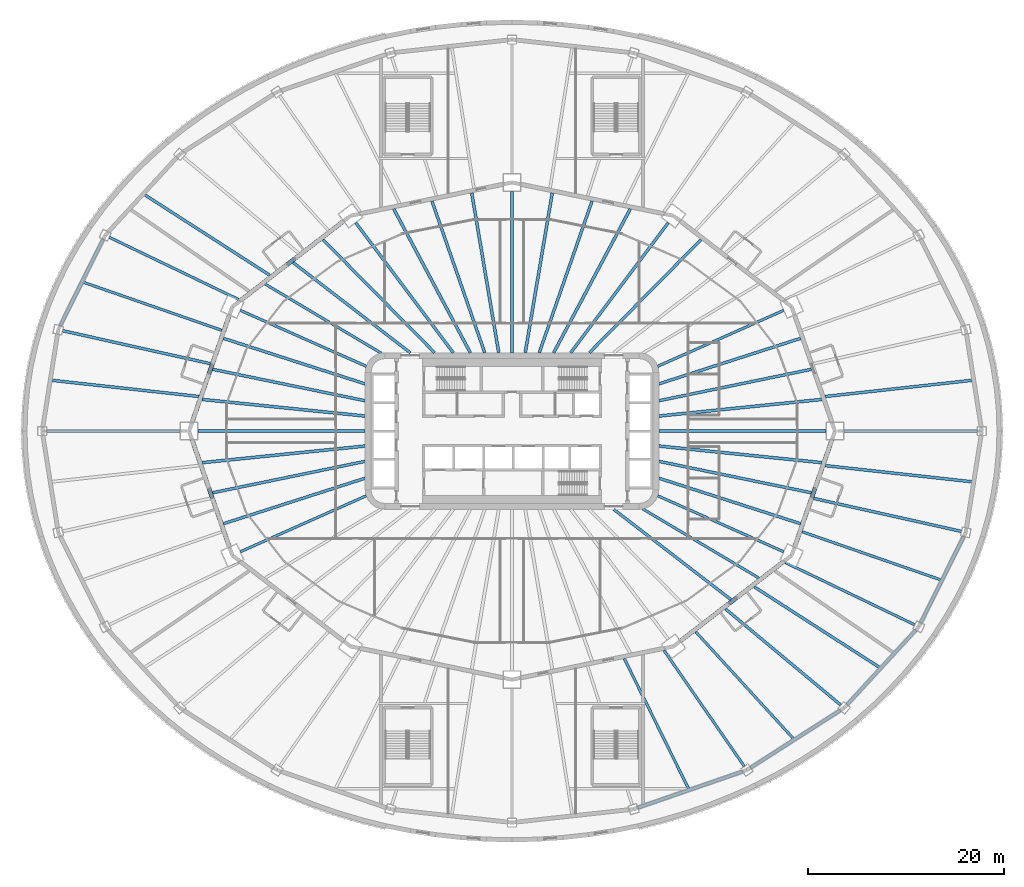
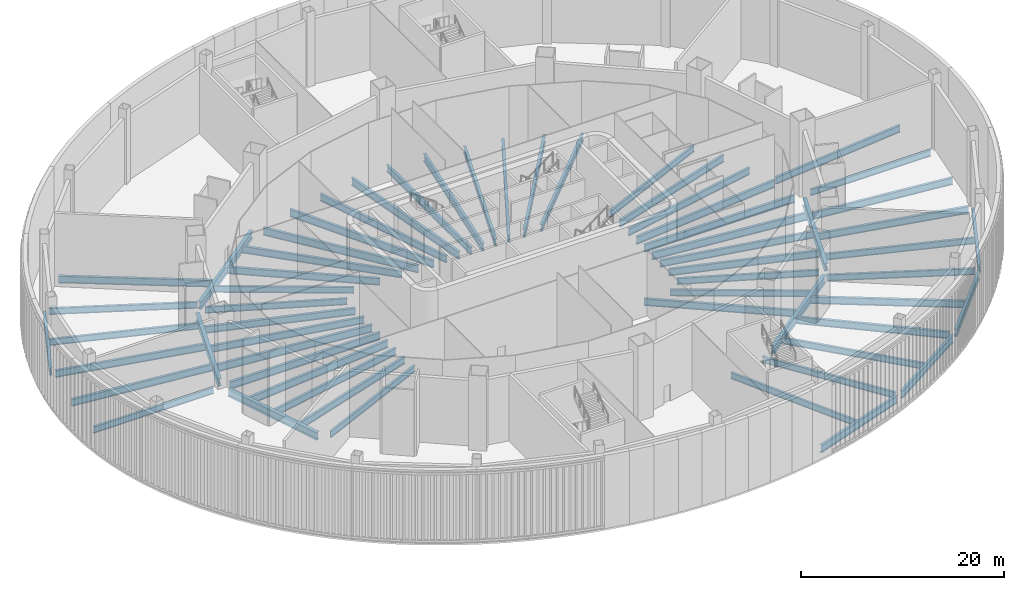
# One storey, part 2 of 35: 60 beams.
"""IFC4 building model written with IfcOpenShell, lengths in metres."""

from ifc_helpers import new_model, si_unit, direction, frame, origin, origin_2d, place, context, subcontext, project, spatial, i_section, extrude, material, material_profile, profile_set, type_object, element, save


model = new_model("IFC4")

# Units and contexts
model_context = context("Model", 3, precision=1e-05, world=origin(), true_north=direction((0.0, 1.0)))
body_context = subcontext(model_context, "Body", "Model", "MODEL_VIEW")
ifc_project = project(units=[si_unit("LENGTHUNIT", "METRE"), si_unit("AREAUNIT", "SQUARE_METRE"), si_unit("VOLUMEUNIT", "CUBIC_METRE"), si_unit("PLANEANGLEUNIT", "RADIAN"), si_unit("MASSUNIT", "GRAM", prefix="KILO")], contexts=[model_context])

# Site, building, storey
site_placement = place(None, origin())
site = spatial("IfcSite", under=ifc_project, at=site_placement, CompositionType="ELEMENT")
building_placement = place(site_placement, origin())
building = spatial("IfcBuilding", under=site, at=building_placement, Name="Sahrelin Media Tower", CompositionType="ELEMENT")
storey_placement = place(building_placement, frame((0.0, 0.0, 8.0)))
storey = spatial("IfcBuildingStorey", under=building, at=storey_placement, Name="L01", CompositionType="ELEMENT", Elevation=8.0)

# Beams
ifc_material = material(Name="Steel S355", Category="steel")
ifc_material_profile_1 = material_profile(ifc_material, i_section(OverallWidth=0.30322265625, OverallDepth=0.903076171875, WebThickness=0.01513671875, FlangeThickness=0.020263671875, FilletRadius=0.01904296875, at=origin_2d()), Name="UB 914x305x201")
ifc_profile_set_1 = profile_set([ifc_material_profile_1], Name="Steel S355")
beam_type_1 = type_object("IfcBeamType", Name="Podium edge girder PE11", PredefinedType="BEAM", material=ifc_profile_set_1)
beam_1_placement = place(storey_placement, frame((-41.76953125, 19.596923828125, -0.651611328125), z_axis=(-0.445112588569, -0.895474613541, 0.0), x_axis=(0.895474613541, -0.445112588569, 0.0)))
element("IfcBeam", 1, at=beam_1_placement, inside=storey, type_object=beam_type_1, Name="Podium edge girder L01-11", PredefinedType="BEAM", context=body_context, shape_type="SweptSolid", body=[
    extrude(i_section(OverallWidth=0.30322265625, OverallDepth=0.903076171875, WebThickness=0.01513671875, FlangeThickness=0.020263671875, FilletRadius=0.01904296875, at=origin_2d()), origin(), (0.0, 0.0, 1.0), 9.859619140625),
])
beam_2_placement = place(storey_placement, frame((12.848876953125, -38.489990234375, -0.651611328125), z_axis=(0.94527240249, 0.32628221694, 0.0), x_axis=(-0.32628221694, 0.94527240249, 0.0)))
element("IfcBeam", 2, at=beam_2_placement, inside=storey, type_object=beam_type_1, Name="Podium edge girder L01-20", PredefinedType="BEAM", context=body_context, shape_type="SweptSolid", body=[
    extrude(i_section(OverallWidth=0.30322265625, OverallDepth=0.903076171875, WebThickness=0.01513671875, FlangeThickness=0.020263671875, FilletRadius=0.01904296875, at=origin_2d()), origin(), (0.0, 0.0, 1.0), 11.329345703125),
])
beam_3_placement = place(storey_placement, frame((24.37939453125, -34.3984375, -0.651611328125), z_axis=(0.842485743715, 0.538718638657, 0.0), x_axis=(-0.538718638657, 0.842485743715, 0.0)))
element("IfcBeam", 3, at=beam_3_placement, inside=storey, type_object=beam_type_1, Name="Podium edge girder L01-21", PredefinedType="BEAM", context=body_context, shape_type="SweptSolid", body=[
    extrude(i_section(OverallWidth=0.30322265625, OverallDepth=0.903076171875, WebThickness=0.01513671875, FlangeThickness=0.020263671875, FilletRadius=0.01904296875, at=origin_2d()), origin(), (0.0, 0.0, 1.0), 10.87744140625),
])
beam_4_placement = place(storey_placement, frame((34.246337890625, -27.952880859375, -0.651611328125), z_axis=(0.677370529771, 0.735642008995, 0.0), x_axis=(-0.735642008995, 0.677370529771, 0.0)))
element("IfcBeam", 4, at=beam_4_placement, inside=storey, type_object=beam_type_1, Name="Podium edge girder L01-22", PredefinedType="BEAM", context=body_context, shape_type="SweptSolid", body=[
    extrude(i_section(OverallWidth=0.30322265625, OverallDepth=0.903076171875, WebThickness=0.01513671875, FlangeThickness=0.020263671875, FilletRadius=0.01904296875, at=origin_2d()), origin(), (0.0, 0.0, 1.0), 10.340087890625),
])
beam_5_placement = place(storey_placement, frame((41.76953125, -19.596923828125, -0.651611328125), z_axis=(0.445112588569, 0.895474613541, 0.0), x_axis=(-0.895474613541, 0.445112588569, 0.0)))
element("IfcBeam", 5, at=beam_5_placement, inside=storey, type_object=beam_type_1, Name="Podium edge girder L01-23", PredefinedType="BEAM", context=body_context, shape_type="SweptSolid", body=[
    extrude(i_section(OverallWidth=0.30322265625, OverallDepth=0.903076171875, WebThickness=0.01513671875, FlangeThickness=0.020263671875, FilletRadius=0.01904296875, at=origin_2d()), origin(), (0.0, 0.0, 1.0), 9.859619140625),
])
ifc_material_profile_2 = material_profile(ifc_material, i_section(OverallWidth=0.41845703125, OverallDepth=0.911865234375, WebThickness=0.019287109375, FlangeThickness=0.031982421875, FilletRadius=0.024169921875, at=origin_2d()), Name="UB 914x419x343")
ifc_profile_set_2 = profile_set([ifc_material_profile_2], Name="Steel S355")
beam_type_2 = type_object("IfcBeamType", Name="Podium ring girder PG12", PredefinedType="BEAM", material=ifc_profile_set_2)
beam_6_placement = place(storey_placement, frame((-17.21337890625, 21.447998046875, -0.656005859375), z_axis=(-0.792445416108, -0.609942835428, 0.0), x_axis=(0.609942835428, -0.792445416108, 0.0)))
element("IfcBeam", 6, at=beam_6_placement, inside=storey, type_object=beam_type_2, Name="Podium girder L01-05", PredefinedType="BEAM", context=body_context, shape_type="SweptSolid", body=[
    extrude(i_section(OverallWidth=0.41845703125, OverallDepth=0.911865234375, WebThickness=0.019287109375, FlangeThickness=0.031982421875, FilletRadius=0.024169921875, at=origin_2d()), origin(), (0.0, 0.0, 1.0), 13.318603515625),
])
for number, where, z_axis, x_axis, name in (
    (7, (-28.875732421875, 11.84716796875, -0.656005859375), (-0.328773851324, -0.944408679908, 0.0), (0.944408679908, -0.328773851324, 0.0), "Podium girder L01-06"),
    (8, (-32.686767578125, -0.89990234375, -0.656005859375), (0.328773851324, -0.944408679908, 0.0), (0.944408679908, 0.328773851324, 0.0), "Podium girder L01-07"),
):
    element("IfcBeam", number, at=place(storey_placement, frame(where, z_axis=z_axis, x_axis=x_axis)), inside=storey, type_object=beam_type_2, Name=name, PredefinedType="BEAM", context=body_context, shape_type="SweptSolid", body=[
        extrude(i_section(OverallWidth=0.41845703125, OverallDepth=0.911865234375, WebThickness=0.019287109375, FlangeThickness=0.031982421875, FilletRadius=0.024169921875, at=origin_2d()), origin(), (0.0, 0.0, 1.0), 11.591552734375),
    ])
beam_7_placement = place(storey_placement, frame((17.21337890625, -21.447998046875, -0.656005859375), z_axis=(0.792445416108, 0.609942835428, 0.0), x_axis=(-0.609942835428, 0.792445416108, 0.0)))
element("IfcBeam", 9, at=beam_7_placement, inside=storey, type_object=beam_type_2, Name="Podium girder L01-11", PredefinedType="BEAM", context=body_context, shape_type="SweptSolid", body=[
    extrude(i_section(OverallWidth=0.41845703125, OverallDepth=0.911865234375, WebThickness=0.019287109375, FlangeThickness=0.031982421875, FilletRadius=0.024169921875, at=origin_2d()), origin(), (0.0, 0.0, 1.0), 13.318603515625),
])
beam_8_placement = place(storey_placement, frame((28.875732421875, -11.84716796875, -0.656005859375), z_axis=(0.328773851324, 0.944408679908, 0.0), x_axis=(-0.944408679908, 0.328773851324, 0.0)))
element("IfcBeam", 10, at=beam_8_placement, inside=storey, type_object=beam_type_2, Name="Podium girder L01-12", PredefinedType="BEAM", context=body_context, shape_type="SweptSolid", body=[
    extrude(i_section(OverallWidth=0.41845703125, OverallDepth=0.911865234375, WebThickness=0.019287109375, FlangeThickness=0.031982421875, FilletRadius=0.024169921875, at=origin_2d()), origin(), (0.0, 0.0, 1.0), 11.591552734375),
])
ifc_material_profile_3 = material_profile(ifc_material, i_section(OverallWidth=0.291748046875, OverallDepth=0.8349609375, WebThickness=0.013916015625, FlangeThickness=0.018798828125, FilletRadius=0.017822265625, at=origin_2d()), Name="UB 838x292x176")
ifc_profile_set_3 = profile_set([ifc_material_profile_3], Name="Steel S355")
beam_type_3 = type_object("IfcBeamType", Name="Radial primary beam PB10", PredefinedType="BEAM", material=ifc_profile_set_3)
beam_9_placement = place(storey_placement, frame((15.0, 3.093505859375, -0.617431640625), z_axis=(0.979386832716, 0.201993643221, 0.0), x_axis=(-0.201993643221, 0.979386832716, 0.0)))
element("IfcBeam", 11, at=beam_9_placement, inside=storey, type_object=beam_type_3, Name="Radial beam L01-02", PredefinedType="BEAM", context=body_context, shape_type="SweptSolid", body=[
    extrude(i_section(OverallWidth=0.291748046875, OverallDepth=0.8349609375, WebThickness=0.013916015625, FlangeThickness=0.018798828125, FilletRadius=0.017822265625, at=origin_2d()), origin(), (0.0, 0.0, 1.0), 15.91064453125),
])
beam_10_placement = place(storey_placement, frame((2.784912109375, 8.0, -0.617431640625), z_axis=(0.328776215552, 0.944407856854, 0.0), x_axis=(-0.944407856854, 0.328776215552, 0.0)))
element("IfcBeam", 12, at=beam_10_placement, inside=storey, type_object=beam_type_3, Name="Radial beam L01-06", PredefinedType="BEAM", context=body_context, shape_type="SweptSolid", body=[
    extrude(i_section(OverallWidth=0.291748046875, OverallDepth=0.8349609375, WebThickness=0.013916015625, FlangeThickness=0.018798828125, FilletRadius=0.017822265625, at=origin_2d()), origin(), (0.0, 0.0, 1.0), 16.41162109375),
])
beam_11_placement = place(storey_placement, frame((0.0, 8.0, -0.617431640625), z_axis=(0.0, 1.0, 0.0), x_axis=(-1.0, 0.0, 0.0)))
element("IfcBeam", 13, at=beam_11_placement, inside=storey, type_object=beam_type_3, Name="Radial beam L01-07", PredefinedType="BEAM", context=body_context, shape_type="SweptSolid", body=[
    extrude(i_section(OverallWidth=0.291748046875, OverallDepth=0.8349609375, WebThickness=0.013916015625, FlangeThickness=0.018798828125, FilletRadius=0.017822265625, at=origin_2d()), origin(), (0.0, 0.0, 1.0), 16.5),
])
beam_12_placement = place(storey_placement, frame((-2.784912109375, 8.0, -0.617431640625), z_axis=(-0.328776215552, 0.944407856854, 0.0), x_axis=(-0.944407856854, -0.328776215552, 0.0)))
element("IfcBeam", 14, at=beam_12_placement, inside=storey, type_object=beam_type_3, Name="Radial beam L01-08", PredefinedType="BEAM", context=body_context, shape_type="SweptSolid", body=[
    extrude(i_section(OverallWidth=0.291748046875, OverallDepth=0.8349609375, WebThickness=0.013916015625, FlangeThickness=0.018798828125, FilletRadius=0.017822265625, at=origin_2d()), origin(), (0.0, 0.0, 1.0), 16.41162109375),
])
beam_13_placement = place(storey_placement, frame((-10.393798828125, 8.0, -0.617431640625), z_axis=(-0.79244196099, 0.609947324335, 0.0), x_axis=(-0.609947324335, -0.79244196099, 0.0)))
element("IfcBeam", 15, at=beam_13_placement, inside=storey, type_object=beam_type_3, Name="Radial beam L01-10", PredefinedType="BEAM", context=body_context, shape_type="SweptSolid", body=[
    extrude(i_section(OverallWidth=0.291748046875, OverallDepth=0.8349609375, WebThickness=0.013916015625, FlangeThickness=0.018798828125, FilletRadius=0.017822265625, at=origin_2d()), origin(), (0.0, 0.0, 1.0), 15.1103515625),
])
for number, where, z_axis, x_axis, name in (
    (16, (-15.0, 3.093505859375, -0.617431640625), (-0.979386832716, 0.201993643221, 0.0), (-0.201993643221, -0.979386832716, 0.0), "Radial beam L01-12"),
    (17, (-15.0, -3.093505859375, -0.617431640625), (-0.979386832716, -0.201993643221, 0.0), (0.201993643221, -0.979386832716, 0.0), "Radial beam L01-14"),
):
    element("IfcBeam", number, at=place(storey_placement, frame(where, z_axis=z_axis, x_axis=x_axis)), inside=storey, type_object=beam_type_3, Name=name, PredefinedType="BEAM", context=body_context, shape_type="SweptSolid", body=[
        extrude(i_section(OverallWidth=0.291748046875, OverallDepth=0.8349609375, WebThickness=0.013916015625, FlangeThickness=0.018798828125, FilletRadius=0.017822265625, at=origin_2d()), origin(), (0.0, 0.0, 1.0), 15.91064453125),
    ])
beam_14_placement = place(storey_placement, frame((10.393798828125, -8.0, -0.617431640625), z_axis=(0.79244196099, -0.609947324335, 0.0), x_axis=(0.609947324335, 0.79244196099, 0.0)))
element("IfcBeam", 18, at=beam_14_placement, inside=storey, type_object=beam_type_3, Name="Radial beam L01-22", PredefinedType="BEAM", context=body_context, shape_type="SweptSolid", body=[
    extrude(i_section(OverallWidth=0.291748046875, OverallDepth=0.8349609375, WebThickness=0.013916015625, FlangeThickness=0.018798828125, FilletRadius=0.017822265625, at=origin_2d()), origin(), (0.0, 0.0, 1.0), 15.1103515625),
])
beam_15_placement = place(storey_placement, frame((15.0, -3.093505859375, -0.617431640625), z_axis=(0.979386832716, -0.201993643221, 0.0), x_axis=(0.201993643221, 0.979386832716, 0.0)))
element("IfcBeam", 19, at=beam_15_placement, inside=storey, type_object=beam_type_3, Name="Radial beam L01-24", PredefinedType="BEAM", context=body_context, shape_type="SweptSolid", body=[
    extrude(i_section(OverallWidth=0.291748046875, OverallDepth=0.8349609375, WebThickness=0.013916015625, FlangeThickness=0.018798828125, FilletRadius=0.017822265625, at=origin_2d()), origin(), (0.0, 0.0, 1.0), 15.91064453125),
])
beam_16_placement = place(storey_placement, frame((-30.825439453125, 6.883056640625, -0.617431640625), z_axis=(-0.975966755314, 0.217919463385, 0.0), x_axis=(-0.217919463385, -0.975966755314, 0.0)))
element("IfcBeam", 20, at=beam_16_placement, inside=storey, type_object=beam_type_3, Name="Radial beam L01-14", PredefinedType="BEAM", context=body_context, shape_type="SweptSolid", body=[
    extrude(i_section(OverallWidth=0.291748046875, OverallDepth=0.8349609375, WebThickness=0.013916015625, FlangeThickness=0.018798828125, FilletRadius=0.017822265625, at=origin_2d()), origin(), (0.0, 0.0, 1.0), 15.4716796875),
])
beam_17_placement = place(storey_placement, frame((21.809326171875, -18.174560546875, -0.617431640625), z_axis=(0.768229105739, -0.640175008178, 0.0), x_axis=(0.640175008178, 0.768229105739, 0.0)))
element("IfcBeam", 21, at=beam_17_placement, inside=storey, type_object=beam_type_3, Name="Radial beam L01-26", PredefinedType="BEAM", context=body_context, shape_type="SweptSolid", body=[
    extrude(i_section(OverallWidth=0.291748046875, OverallDepth=0.8349609375, WebThickness=0.013916015625, FlangeThickness=0.018798828125, FilletRadius=0.017822265625, at=origin_2d()), origin(), (0.0, 0.0, 1.0), 15.342041015625),
])
beam_18_placement = place(storey_placement, frame((30.825439453125, -6.883056640625, -0.617431640625), z_axis=(0.975966755314, -0.217919463385, 0.0), x_axis=(0.217919463385, 0.975966755314, 0.0)))
element("IfcBeam", 22, at=beam_18_placement, inside=storey, type_object=beam_type_3, Name="Radial beam L01-28", PredefinedType="BEAM", context=body_context, shape_type="SweptSolid", body=[
    extrude(i_section(OverallWidth=0.291748046875, OverallDepth=0.8349609375, WebThickness=0.013916015625, FlangeThickness=0.018798828125, FilletRadius=0.017822265625, at=origin_2d()), origin(), (0.0, 0.0, 1.0), 15.4716796875),
])
ifc_material_profile_4 = material_profile(ifc_material, i_section(OverallWidth=0.30322265625, OverallDepth=0.903076171875, WebThickness=0.01513671875, FlangeThickness=0.020263671875, FilletRadius=0.01904296875, at=origin_2d()), Name="UB 914x305x201")
ifc_profile_set_4 = profile_set([ifc_material_profile_4], Name="Steel S355")
beam_type_4 = type_object("IfcBeamType", Name="Radial primary beam PB11", PredefinedType="BEAM", material=ifc_profile_set_4)
beam_19_placement = place(storey_placement, frame((15.0, 0.0, -0.651611328125), z_axis=(1.0, 0.0, 0.0), x_axis=(0.0, 1.0, 0.0)))
element("IfcBeam", 23, at=beam_19_placement, inside=storey, type_object=beam_type_4, Name="Radial beam L01-01", PredefinedType="BEAM", context=body_context, shape_type="SweptSolid", body=[
    extrude(i_section(OverallWidth=0.30322265625, OverallDepth=0.903076171875, WebThickness=0.01513671875, FlangeThickness=0.020263671875, FilletRadius=0.01904296875, at=origin_2d()), origin(), (0.0, 0.0, 1.0), 17.10009765625),
])
for number, where, z_axis, x_axis, name in (
    (24, (6.000732421875, 8.0, -0.651611328125), (0.600054130443, 0.799959399306, 0.0), (-0.799959399306, 0.600054130443, 0.0), "Radial beam L01-05"),
    (25, (-6.000732421875, 8.0, -0.651611328125), (-0.600054130443, 0.799959399306, 0.0), (-0.799959399306, -0.600054130443, 0.0), "Radial beam L01-09"),
):
    element("IfcBeam", number, at=place(storey_placement, frame(where, z_axis=z_axis, x_axis=x_axis)), inside=storey, type_object=beam_type_4, Name=name, PredefinedType="BEAM", context=body_context, shape_type="SweptSolid", body=[
        extrude(i_section(OverallWidth=0.30322265625, OverallDepth=0.903076171875, WebThickness=0.01513671875, FlangeThickness=0.020263671875, FilletRadius=0.01904296875, at=origin_2d()), origin(), (0.0, 0.0, 1.0), 16.59716796875),
    ])
beam_20_placement = place(storey_placement, frame((-15.0, 0.0, -0.651611328125), z_axis=(-1.0, 0.0, 0.0), x_axis=(0.0, -1.0, 0.0)))
element("IfcBeam", 26, at=beam_20_placement, inside=storey, type_object=beam_type_4, Name="Radial beam L01-13", PredefinedType="BEAM", context=body_context, shape_type="SweptSolid", body=[
    extrude(i_section(OverallWidth=0.30322265625, OverallDepth=0.903076171875, WebThickness=0.01513671875, FlangeThickness=0.020263671875, FilletRadius=0.01904296875, at=origin_2d()), origin(), (0.0, 0.0, 1.0), 17.10009765625),
])
ifc_material_profile_5 = material_profile(ifc_material, i_section(OverallWidth=0.26513671875, OverallDepth=0.75390625, WebThickness=0.0126953125, FlangeThickness=0.017578125, FilletRadius=0.0166015625, at=origin_2d()), Name="UB 762x267x147")
ifc_profile_set_5 = profile_set([ifc_material_profile_5], Name="Steel S355")
beam_type_5 = type_object("IfcBeamType", Name="Radial primary beam PB9", PredefinedType="BEAM", material=ifc_profile_set_5)
for number, where, z_axis, x_axis, name in (
    (27, (14.890625, 6.6171875, -0.576904296875), (0.913833000058, 0.406090196883, 0.0), (-0.406090196883, 0.913833000058, 0.0), "Radial beam L01-03"),
    (28, (-14.890625, 6.6171875, -0.576904296875), (-0.913833000058, 0.406090196883, 0.0), (-0.406090196883, -0.913833000058, 0.0), "Radial beam L01-11"),
    (29, (-14.890625, -6.6171875, -0.576904296875), (-0.913833000058, -0.406090196883, 0.0), (0.406090196883, -0.913833000058, 0.0), "Radial beam L01-15"),
    (30, (14.890625, -6.6171875, -0.576904296875), (0.913833000058, -0.406090196883, 0.0), (0.406090196883, 0.913833000058, 0.0), "Radial beam L01-23"),
):
    element("IfcBeam", number, at=place(storey_placement, frame(where, z_axis=z_axis, x_axis=x_axis)), inside=storey, type_object=beam_type_5, Name=name, PredefinedType="BEAM", context=body_context, shape_type="SweptSolid", body=[
        extrude(i_section(OverallWidth=0.26513671875, OverallDepth=0.75390625, WebThickness=0.0126953125, FlangeThickness=0.017578125, FilletRadius=0.0166015625, at=origin_2d()), origin(), (0.0, 0.0, 1.0), 14.078857421875),
    ])
beam_21_placement = place(storey_placement, frame((33.89990234375, 0.0, -0.576904296875), z_axis=(1.0, 0.0, 0.0), x_axis=(0.0, 1.0, 0.0)))
element("IfcBeam", 31, at=beam_21_placement, inside=storey, type_object=beam_type_5, Name="Radial beam L01-01", PredefinedType="BEAM", context=body_context, shape_type="SweptSolid", body=[
    extrude(i_section(OverallWidth=0.26513671875, OverallDepth=0.75390625, WebThickness=0.0126953125, FlangeThickness=0.017578125, FilletRadius=0.0166015625, at=origin_2d()), origin(), (0.0, 0.0, 1.0), 13.650146484375),
])
beam_22_placement = place(storey_placement, frame((-27.950439453125, 13.44775390625, -0.576904296875), z_axis=(-0.901130102072, 0.433548773657, 0.0), x_axis=(-0.433548773657, -0.901130102072, 0.0)))
element("IfcBeam", 32, at=beam_22_placement, inside=storey, type_object=beam_type_5, Name="Radial beam L01-13", PredefinedType="BEAM", context=body_context, shape_type="SweptSolid", body=[
    extrude(i_section(OverallWidth=0.26513671875, OverallDepth=0.75390625, WebThickness=0.0126953125, FlangeThickness=0.017578125, FilletRadius=0.0166015625, at=origin_2d()), origin(), (0.0, 0.0, 1.0), 14.6630859375),
])
beam_23_placement = place(storey_placement, frame((-33.89990234375, 0.0, -0.576904296875), z_axis=(-1.0, 0.0, 0.0), x_axis=(0.0, -1.0, 0.0)))
element("IfcBeam", 33, at=beam_23_placement, inside=storey, type_object=beam_type_5, Name="Radial beam L01-15", PredefinedType="BEAM", context=body_context, shape_type="SweptSolid", body=[
    extrude(i_section(OverallWidth=0.26513671875, OverallDepth=0.75390625, WebThickness=0.0126953125, FlangeThickness=0.017578125, FilletRadius=0.0166015625, at=origin_2d()), origin(), (0.0, 0.0, 1.0), 13.650146484375),
])
beam_24_placement = place(storey_placement, frame((15.527099609375, -22.411376953125, -0.576904296875), z_axis=(0.569493278726, -0.821995988729, 0.0), x_axis=(0.821995988729, 0.569493278726, 0.0)))
element("IfcBeam", 34, at=beam_24_placement, inside=storey, type_object=beam_type_5, Name="Radial beam L01-25", PredefinedType="BEAM", context=body_context, shape_type="SweptSolid", body=[
    extrude(i_section(OverallWidth=0.26513671875, OverallDepth=0.75390625, WebThickness=0.0126953125, FlangeThickness=0.017578125, FilletRadius=0.0166015625, at=origin_2d()), origin(), (0.0, 0.0, 1.0), 14.427734375),
])
beam_25_placement = place(storey_placement, frame((27.950439453125, -13.44775390625, -0.576904296875), z_axis=(0.901130102072, -0.433548773657, 0.0), x_axis=(0.433548773657, 0.901130102072, 0.0)))
element("IfcBeam", 35, at=beam_25_placement, inside=storey, type_object=beam_type_5, Name="Radial beam L01-27", PredefinedType="BEAM", context=body_context, shape_type="SweptSolid", body=[
    extrude(i_section(OverallWidth=0.26513671875, OverallDepth=0.75390625, WebThickness=0.0126953125, FlangeThickness=0.017578125, FilletRadius=0.0166015625, at=origin_2d()), origin(), (0.0, 0.0, 1.0), 14.6630859375),
])
ifc_material_profile_6 = material_profile(ifc_material, i_section(OverallWidth=0.291748046875, OverallDepth=0.8349609375, WebThickness=0.013916015625, FlangeThickness=0.018798828125, FilletRadius=0.017822265625, at=origin_2d()), Name="UB 838x292x176")
ifc_profile_set_6 = profile_set([ifc_material_profile_6], Name="Steel S355")
beam_type_6 = type_object("IfcBeamType", Name="Radial secondary beam SB10", PredefinedType="BEAM", material=ifc_profile_set_6)
beam_26_placement = place(storey_placement, frame((15.0, 4.81787109375, -0.617431640625), z_axis=(0.952096340592, 0.305798231244, 0.0), x_axis=(-0.305798231244, 0.952096340592, 0.0)))
element("IfcBeam", 36, at=beam_26_placement, inside=storey, type_object=beam_type_6, Name="Secondary beam L01-02", PredefinedType="BEAM", context=body_context, shape_type="SweptSolid", body=[
    extrude(i_section(OverallWidth=0.291748046875, OverallDepth=0.8349609375, WebThickness=0.013916015625, FlangeThickness=0.018798828125, FilletRadius=0.017822265625, at=origin_2d()), origin(), (0.0, 0.0, 1.0), 15.210693359375),
])
for number, where, z_axis, x_axis, name in (
    (37, (7.901123046875, 8.0, -0.617431640625), (0.702706329063, 0.711480017355, 0.0), (-0.711480017355, 0.702706329063, 0.0), "Secondary beam L01-04"),
    (38, (-7.901123046875, 8.0, -0.617431640625), (-0.702706329063, 0.711480017355, 0.0), (-0.711480017355, -0.702706329063, 0.0), "Secondary beam L01-09"),
):
    element("IfcBeam", number, at=place(storey_placement, frame(where, z_axis=z_axis, x_axis=x_axis)), inside=storey, type_object=beam_type_6, Name=name, PredefinedType="BEAM", context=body_context, shape_type="SweptSolid", body=[
        extrude(i_section(OverallWidth=0.291748046875, OverallDepth=0.8349609375, WebThickness=0.013916015625, FlangeThickness=0.018798828125, FilletRadius=0.017822265625, at=origin_2d()), origin(), (0.0, 0.0, 1.0), 16.250732421875),
    ])
for number, where, z_axis, x_axis, name in (
    (39, (-15.0, 4.81787109375, -0.617431640625), (-0.952096340592, 0.305798231244, 0.0), (-0.305798231244, -0.952096340592, 0.0), "Secondary beam L01-11"),
    (40, (-15.0, -4.81787109375, -0.617431640625), (-0.952096340592, -0.305798231244, 0.0), (0.305798231244, -0.952096340592, 0.0), "Secondary beam L01-14"),
    (41, (15.0, -4.81787109375, -0.617431640625), (0.952096340592, -0.305798231244, 0.0), (0.305798231244, 0.952096340592, 0.0), "Secondary beam L01-23"),
):
    element("IfcBeam", number, at=place(storey_placement, frame(where, z_axis=z_axis, x_axis=x_axis)), inside=storey, type_object=beam_type_6, Name=name, PredefinedType="BEAM", context=body_context, shape_type="SweptSolid", body=[
        extrude(i_section(OverallWidth=0.291748046875, OverallDepth=0.8349609375, WebThickness=0.013916015625, FlangeThickness=0.018798828125, FilletRadius=0.017822265625, at=origin_2d()), origin(), (0.0, 0.0, 1.0), 15.210693359375),
    ])
beam_27_placement = place(storey_placement, frame((31.9931640625, 3.528564453125, -0.617431640625), z_axis=(0.993973950123, 0.109616542901, 0.0), x_axis=(-0.109616542901, 0.993973950123, 0.0)))
element("IfcBeam", 42, at=beam_27_placement, inside=storey, type_object=beam_type_6, Name="Secondary beam L01-01", PredefinedType="BEAM", context=body_context, shape_type="SweptSolid", body=[
    extrude(i_section(OverallWidth=0.291748046875, OverallDepth=0.8349609375, WebThickness=0.013916015625, FlangeThickness=0.018798828125, FilletRadius=0.017822265625, at=origin_2d()), origin(), (0.0, 0.0, 1.0), 15.125),
])
beam_28_placement = place(storey_placement, frame((-24.744140625, 15.91552734375, -0.617431640625), z_axis=(-0.84104292767, 0.540968385228, 0.0), x_axis=(-0.540968385228, -0.84104292767, 0.0)))
element("IfcBeam", 43, at=beam_28_placement, inside=storey, type_object=beam_type_6, Name="Secondary beam L01-10", PredefinedType="BEAM", context=body_context, shape_type="SweptSolid", body=[
    extrude(i_section(OverallWidth=0.291748046875, OverallDepth=0.8349609375, WebThickness=0.013916015625, FlangeThickness=0.018798828125, FilletRadius=0.017822265625, at=origin_2d()), origin(), (0.0, 0.0, 1.0), 15.218505859375),
])
beam_29_placement = place(storey_placement, frame((-31.9931640625, 3.528564453125, -0.617431640625), z_axis=(-0.993973950123, 0.109616542901, 0.0), x_axis=(-0.109616542901, -0.993973950123, 0.0)))
element("IfcBeam", 44, at=beam_29_placement, inside=storey, type_object=beam_type_6, Name="Secondary beam L01-12", PredefinedType="BEAM", context=body_context, shape_type="SweptSolid", body=[
    extrude(i_section(OverallWidth=0.291748046875, OverallDepth=0.8349609375, WebThickness=0.013916015625, FlangeThickness=0.018798828125, FilletRadius=0.017822265625, at=origin_2d()), origin(), (0.0, 0.0, 1.0), 15.125),
])
beam_30_placement = place(storey_placement, frame((24.744140625, -15.91552734375, -0.617431640625), z_axis=(0.84104292767, -0.540968385228, 0.0), x_axis=(0.540968385228, 0.84104292767, 0.0)))
element("IfcBeam", 45, at=beam_30_placement, inside=storey, type_object=beam_type_6, Name="Secondary beam L01-22", PredefinedType="BEAM", context=body_context, shape_type="SweptSolid", body=[
    extrude(i_section(OverallWidth=0.291748046875, OverallDepth=0.8349609375, WebThickness=0.013916015625, FlangeThickness=0.018798828125, FilletRadius=0.017822265625, at=origin_2d()), origin(), (0.0, 0.0, 1.0), 15.218505859375),
])
beam_31_placement = place(storey_placement, frame((31.9931640625, -3.528564453125, -0.617431640625), z_axis=(0.993973950123, -0.109616542901, 0.0), x_axis=(0.109616542901, 0.993973950123, 0.0)))
element("IfcBeam", 46, at=beam_31_placement, inside=storey, type_object=beam_type_6, Name="Secondary beam L01-24", PredefinedType="BEAM", context=body_context, shape_type="SweptSolid", body=[
    extrude(i_section(OverallWidth=0.291748046875, OverallDepth=0.8349609375, WebThickness=0.013916015625, FlangeThickness=0.018798828125, FilletRadius=0.017822265625, at=origin_2d()), origin(), (0.0, 0.0, 1.0), 15.125),
])
ifc_material_profile_7 = material_profile(ifc_material, i_section(OverallWidth=0.30322265625, OverallDepth=0.903076171875, WebThickness=0.01513671875, FlangeThickness=0.020263671875, FilletRadius=0.01904296875, at=origin_2d()), Name="UB 914x305x201")
ifc_profile_set_7 = profile_set([ifc_material_profile_7], Name="Steel S355")
beam_type_7 = type_object("IfcBeamType", Name="Radial secondary beam SB11", PredefinedType="BEAM", material=ifc_profile_set_7)
beam_32_placement = place(storey_placement, frame((15.0, 1.53076171875, -0.651611328125), z_axis=(0.994833571419, 0.10151928476, 0.0), x_axis=(-0.10151928476, 0.994833571419, 0.0)))
element("IfcBeam", 47, at=beam_32_placement, inside=storey, type_object=beam_type_7, Name="Secondary beam L01-01", PredefinedType="BEAM", context=body_context, shape_type="SweptSolid", body=[
    extrude(i_section(OverallWidth=0.30322265625, OverallDepth=0.903076171875, WebThickness=0.01513671875, FlangeThickness=0.020263671875, FilletRadius=0.01904296875, at=origin_2d()), origin(), (0.0, 0.0, 1.0), 16.740234375),
])
beam_33_placement = place(storey_placement, frame((4.259765625, 8.0, -0.651611328125), z_axis=(0.469997453325, 0.882667770947, 0.0), x_axis=(-0.882667770947, 0.469997453325, 0.0)))
element("IfcBeam", 48, at=beam_33_placement, inside=storey, type_object=beam_type_7, Name="Secondary beam L01-05", PredefinedType="BEAM", context=body_context, shape_type="SweptSolid", body=[
    extrude(i_section(OverallWidth=0.30322265625, OverallDepth=0.903076171875, WebThickness=0.01513671875, FlangeThickness=0.020263671875, FilletRadius=0.01904296875, at=origin_2d()), origin(), (0.0, 0.0, 1.0), 16.6474609375),
])
for number, where, z_axis, x_axis, name in (
    (49, (1.352783203125, 8.0, -0.651611328125), (0.166704262426, 0.986006941603, 0.0), (-0.986006941603, 0.166704262426, 0.0), "Secondary beam L01-06"),
    (50, (-1.352783203125, 8.0, -0.651611328125), (-0.166704262426, 0.986006941603, 0.0), (-0.986006941603, -0.166704262426, 0.0), "Secondary beam L01-07"),
):
    element("IfcBeam", number, at=place(storey_placement, frame(where, z_axis=z_axis, x_axis=x_axis)), inside=storey, type_object=beam_type_7, Name=name, PredefinedType="BEAM", context=body_context, shape_type="SweptSolid", body=[
        extrude(i_section(OverallWidth=0.30322265625, OverallDepth=0.903076171875, WebThickness=0.01513671875, FlangeThickness=0.020263671875, FilletRadius=0.01904296875, at=origin_2d()), origin(), (0.0, 0.0, 1.0), 16.569580078125),
    ])
beam_34_placement = place(storey_placement, frame((-4.259765625, 8.0, -0.651611328125), z_axis=(-0.469997453325, 0.882667770947, 0.0), x_axis=(-0.882667770947, -0.469997453325, 0.0)))
element("IfcBeam", 51, at=beam_34_placement, inside=storey, type_object=beam_type_7, Name="Secondary beam L01-08", PredefinedType="BEAM", context=body_context, shape_type="SweptSolid", body=[
    extrude(i_section(OverallWidth=0.30322265625, OverallDepth=0.903076171875, WebThickness=0.01513671875, FlangeThickness=0.020263671875, FilletRadius=0.01904296875, at=origin_2d()), origin(), (0.0, 0.0, 1.0), 16.6474609375),
])
for number, where, z_axis, x_axis, name in (
    (52, (-15.0, 1.53076171875, -0.651611328125), (-0.994833571419, 0.10151928476, 0.0), (-0.10151928476, -0.994833571419, 0.0), "Secondary beam L01-12"),
    (53, (-15.0, -1.53076171875, -0.651611328125), (-0.994833571419, -0.10151928476, 0.0), (0.10151928476, -0.994833571419, 0.0), "Secondary beam L01-13"),
    (54, (15.0, -1.53076171875, -0.651611328125), (0.994833571419, -0.10151928476, 0.0), (0.10151928476, 0.994833571419, 0.0), "Secondary beam L01-24"),
):
    element("IfcBeam", number, at=place(storey_placement, frame(where, z_axis=z_axis, x_axis=x_axis)), inside=storey, type_object=beam_type_7, Name=name, PredefinedType="BEAM", context=body_context, shape_type="SweptSolid", body=[
        extrude(i_section(OverallWidth=0.30322265625, OverallDepth=0.903076171875, WebThickness=0.01513671875, FlangeThickness=0.020263671875, FilletRadius=0.01904296875, at=origin_2d()), origin(), (0.0, 0.0, 1.0), 16.740234375),
    ])
ifc_material_profile_8 = material_profile(ifc_material, i_section(OverallWidth=0.26513671875, OverallDepth=0.75390625, WebThickness=0.0126953125, FlangeThickness=0.017578125, FilletRadius=0.0166015625, at=origin_2d()), Name="UB 762x267x147")
ifc_profile_set_8 = profile_set([ifc_material_profile_8], Name="Steel S355")
beam_type_8 = type_object("IfcBeamType", Name="Radial secondary beam SB9", PredefinedType="BEAM", material=ifc_profile_set_8)
for number, where, z_axis, x_axis, name in (
    (55, (-13.356201171875, 7.953125, -0.576904296875), (-0.859199265621, 0.511641106594, 0.0), (-0.511641106594, -0.859199265621, 0.0), "Secondary beam L01-10"),
    (56, (13.356201171875, -7.953125, -0.576904296875), (0.859199265621, -0.511641106594, 0.0), (0.511641106594, 0.859199265621, 0.0), "Secondary beam L01-22"),
):
    element("IfcBeam", number, at=place(storey_placement, frame(where, z_axis=z_axis, x_axis=x_axis)), inside=storey, type_object=beam_type_8, Name=name, PredefinedType="BEAM", context=body_context, shape_type="SweptSolid", body=[
        extrude(i_section(OverallWidth=0.26513671875, OverallDepth=0.75390625, WebThickness=0.0126953125, FlangeThickness=0.017578125, FilletRadius=0.0166015625, at=origin_2d()), origin(), (0.0, 0.0, 1.0), 13.810791015625),
    ])
beam_35_placement = place(storey_placement, frame((-29.640380859375, 10.287109375, -0.576904296875), z_axis=(-0.944713020182, 0.32789832189, 0.0), x_axis=(-0.32789832189, -0.944713020182, 0.0)))
element("IfcBeam", 57, at=beam_35_placement, inside=storey, type_object=beam_type_8, Name="Secondary beam L01-11", PredefinedType="BEAM", context=body_context, shape_type="SweptSolid", body=[
    extrude(i_section(OverallWidth=0.26513671875, OverallDepth=0.75390625, WebThickness=0.0126953125, FlangeThickness=0.017578125, FilletRadius=0.0166015625, at=origin_2d()), origin(), (0.0, 0.0, 1.0), 14.974609375),
])
beam_36_placement = place(storey_placement, frame((11.47412109375, -23.247314453125, -0.576904296875), z_axis=(0.442602611298, -0.896717864477, 0.0), x_axis=(0.896717864477, 0.442602611298, 0.0)))
element("IfcBeam", 58, at=beam_36_placement, inside=storey, type_object=beam_type_8, Name="Secondary beam L01-20", PredefinedType="BEAM", context=body_context, shape_type="SweptSolid", body=[
    extrude(i_section(OverallWidth=0.26513671875, OverallDepth=0.75390625, WebThickness=0.0126953125, FlangeThickness=0.017578125, FilletRadius=0.0166015625, at=origin_2d()), origin(), (0.0, 0.0, 1.0), 14.8232421875),
])
beam_37_placement = place(storey_placement, frame((18.7685546875, -20.514892578125, -0.576904296875), z_axis=(0.675004282666, -0.737813810106, 0.0), x_axis=(0.737813810106, 0.675004282666, 0.0)))
element("IfcBeam", 59, at=beam_37_placement, inside=storey, type_object=beam_type_8, Name="Secondary beam L01-21", PredefinedType="BEAM", context=body_context, shape_type="SweptSolid", body=[
    extrude(i_section(OverallWidth=0.26513671875, OverallDepth=0.75390625, WebThickness=0.0126953125, FlangeThickness=0.017578125, FilletRadius=0.0166015625, at=origin_2d()), origin(), (0.0, 0.0, 1.0), 14.7861328125),
])
beam_38_placement = place(storey_placement, frame((29.640380859375, -10.287109375, -0.576904296875), z_axis=(0.944713020182, -0.32789832189, 0.0), x_axis=(0.32789832189, 0.944713020182, 0.0)))
element("IfcBeam", 60, at=beam_38_placement, inside=storey, type_object=beam_type_8, Name="Secondary beam L01-23", PredefinedType="BEAM", context=body_context, shape_type="SweptSolid", body=[
    extrude(i_section(OverallWidth=0.26513671875, OverallDepth=0.75390625, WebThickness=0.0126953125, FlangeThickness=0.017578125, FilletRadius=0.0166015625, at=origin_2d()), origin(), (0.0, 0.0, 1.0), 14.974609375),
])

save(model, "model.ifc")
